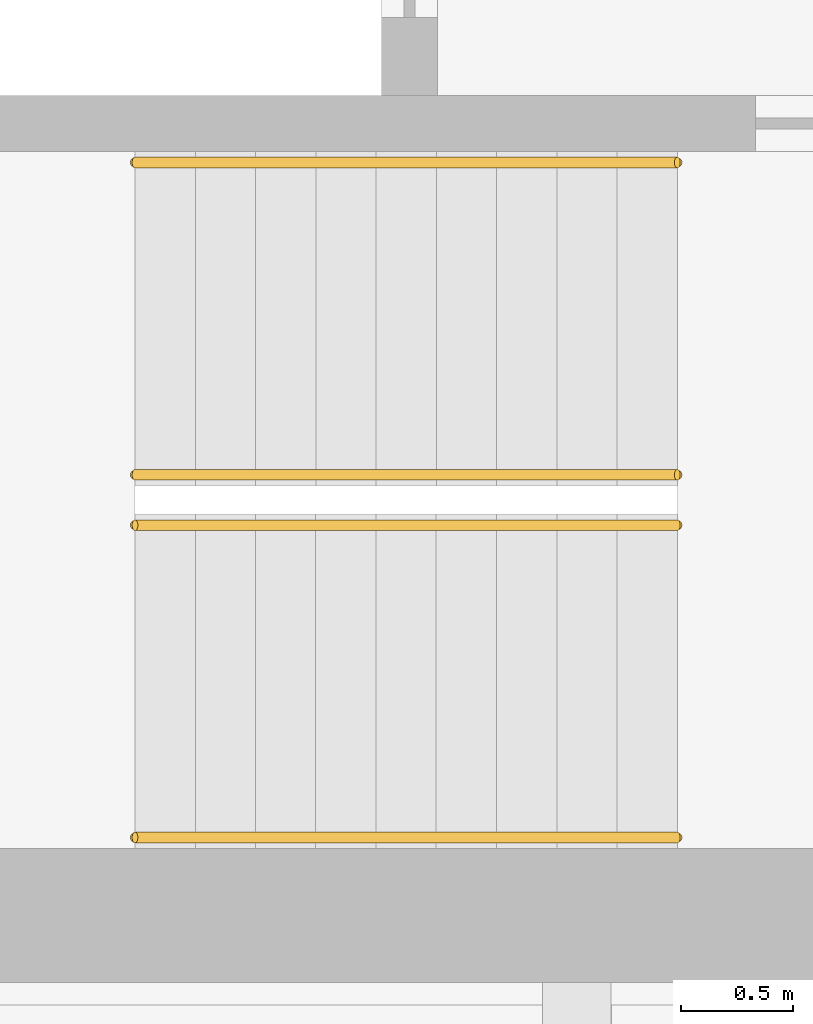
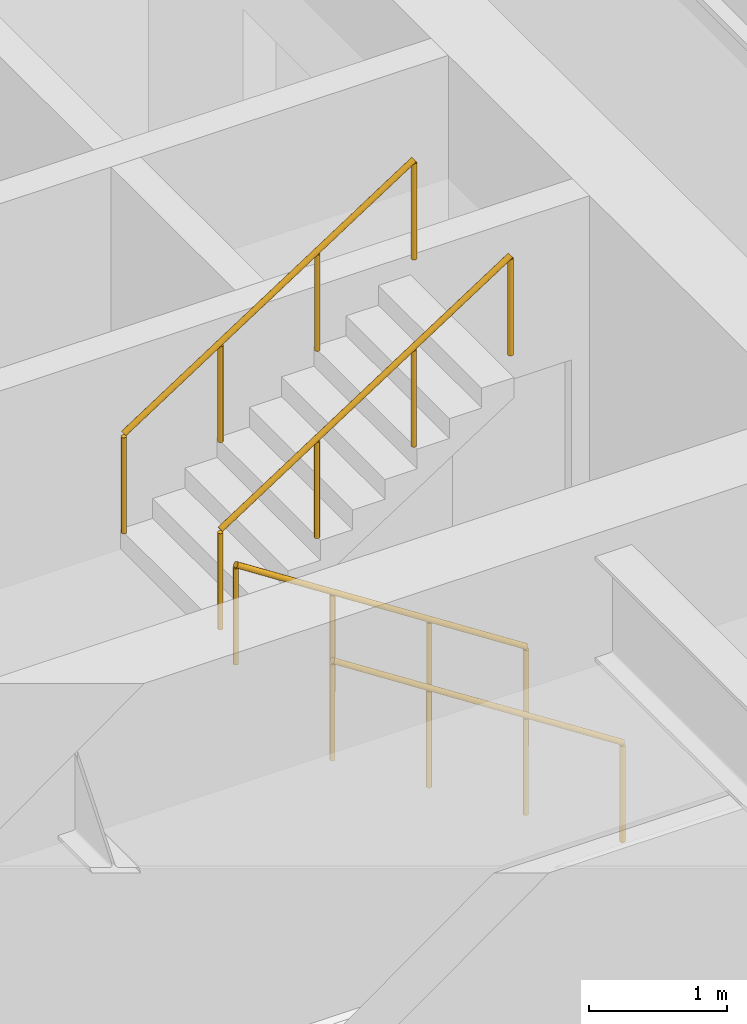
# One storey, part 17 of 21: 4 railings.
"""IFC4 building model written with IfcOpenShell, lengths in metres."""

from ifc_helpers import new_model, si_unit, direction, frame, origin, origin_2d, place, context, subcontext, project, spatial, circle, extrude, material, type_object, element, save


model = new_model("IFC4")

# Units and contexts
model_context = context("Model", 3, precision=1e-05, world=origin(), true_north=direction((0.0, 1.0)))
body_context = subcontext(model_context, "Body", "Model", "MODEL_VIEW")
ifc_project = project(units=[si_unit("LENGTHUNIT", "METRE"), si_unit("AREAUNIT", "SQUARE_METRE"), si_unit("VOLUMEUNIT", "CUBIC_METRE"), si_unit("PLANEANGLEUNIT", "RADIAN"), si_unit("MASSUNIT", "GRAM", prefix="KILO")], contexts=[model_context])

# Site, building, storey
site_placement = place(None, origin())
site = spatial("IfcSite", under=ifc_project, at=site_placement, CompositionType="ELEMENT")
building_placement = place(site_placement, origin())
building = spatial("IfcBuilding", under=site, at=building_placement, Name="Msasa Ring Tower", CompositionType="ELEMENT")
storey_placement = place(building_placement, frame((0.0, 0.0, 82.5)))
storey = spatial("IfcBuildingStorey", under=building, at=storey_placement, Name="L21", CompositionType="ELEMENT", Elevation=82.5)

# Railings
ifc_material = material(Name="Stainless steel", Category="steel")
railing_type = type_object("IfcRailingType", Name="HR1 HANDRAIL 900", PredefinedType="HANDRAIL", material=ifc_material)
for number, where, name in (
    (1, (-10.800048828125, -6.39990234375, 0.175048828125), "Handrail stair SWA L21 1"),
    (2, (-10.800048828125, -5.0, 0.175048828125), "Handrail stair SWA L21 2"),
):
    element("IfcRailing", number, at=place(storey_placement, frame(where)), inside=storey, type_object=railing_type, Name=name, PredefinedType="HANDRAIL", context=body_context, shape_type="SweptSolid", body=[
        extrude(circle(Radius=0.02392578125, at=origin_2d()), frame((0.0, 0.0, 0.8759765625), z_axis=(-0.839153699163, 0.0, 0.543894354798), x_axis=(0.0, -1.0, 0.0)), (0.0, 0.0, 1.0), 2.895751953125),
        extrude(circle(Radius=0.02099609375, at=origin_2d()), origin(), (0.0, 0.0, 1.0), 0.851806640625),
        extrude(circle(Radius=0.02099609375, at=origin_2d()), frame((-0.81005859375, 0.0, 0.52490234375)), (0.0, 0.0, 1.0), 0.851806640625),
        extrude(circle(Radius=0.02099609375, at=origin_2d()), frame((-1.619873046875, 0.0, 1.050048828125)), (0.0, 0.0, 1.0), 0.851806640625),
        extrude(circle(Radius=0.02099609375, at=origin_2d()), frame((-2.429931640625, 0.0, 1.574951171875)), (0.0, 0.0, 1.0), 0.851806640625),
    ])
for number, where, name in (
    (3, (-13.22998046875, -4.77490234375, 1.925048828125), "Handrail stair SWA L21 3"),
    (4, (-13.22998046875, -3.375, 1.925048828125), "Handrail stair SWA L21 4"),
):
    element("IfcRailing", number, at=place(storey_placement, frame(where)), inside=storey, type_object=railing_type, Name=name, PredefinedType="HANDRAIL", context=body_context, shape_type="SweptSolid", body=[
        extrude(circle(Radius=0.02392578125, at=origin_2d()), frame((0.0, 0.0, 0.8759765625), z_axis=(0.839153699163, 0.0, 0.543894354798), x_axis=(0.0, 1.0, 0.0)), (0.0, 0.0, 1.0), 2.895751953125),
        extrude(circle(Radius=0.02099609375, at=origin_2d()), origin(), (0.0, 0.0, 1.0), 0.851806640625),
        extrude(circle(Radius=0.02099609375, at=origin_2d()), frame((0.81005859375, 0.0, 0.52490234375)), (0.0, 0.0, 1.0), 0.851806640625),
        extrude(circle(Radius=0.02099609375, at=origin_2d()), frame((1.619873046875, 0.0, 1.050048828125)), (0.0, 0.0, 1.0), 0.851806640625),
        extrude(circle(Radius=0.02099609375, at=origin_2d()), frame((2.429931640625, 0.0, 1.574951171875)), (0.0, 0.0, 1.0), 0.851806640625),
    ])

save(model, "model.ifc")
